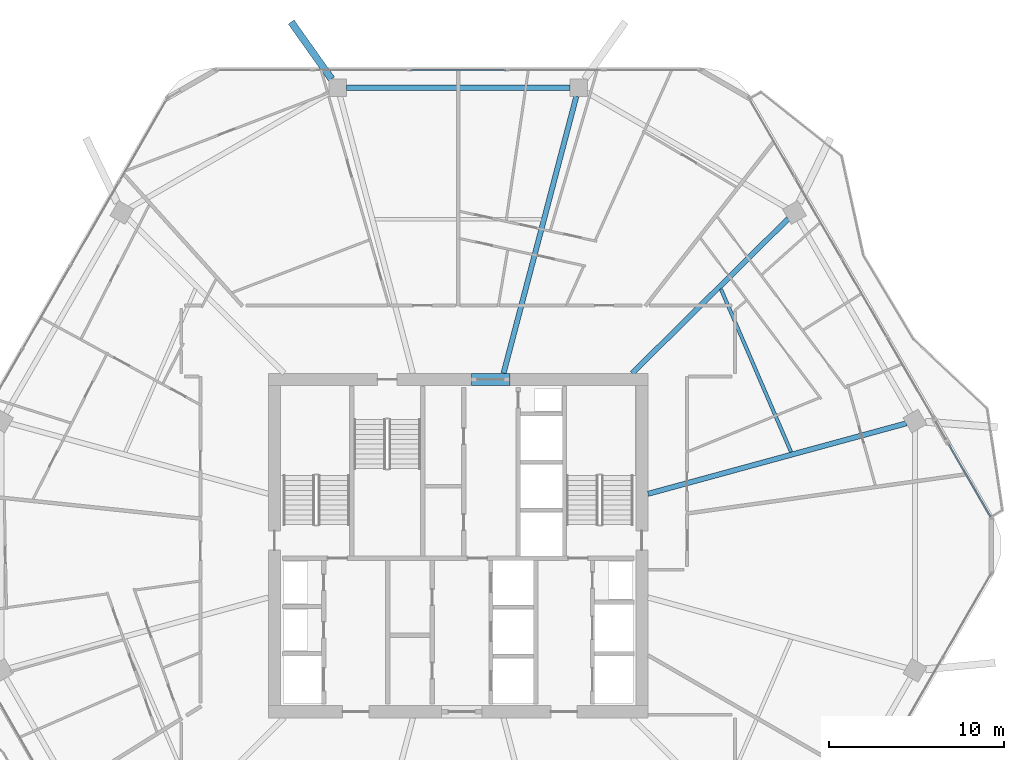
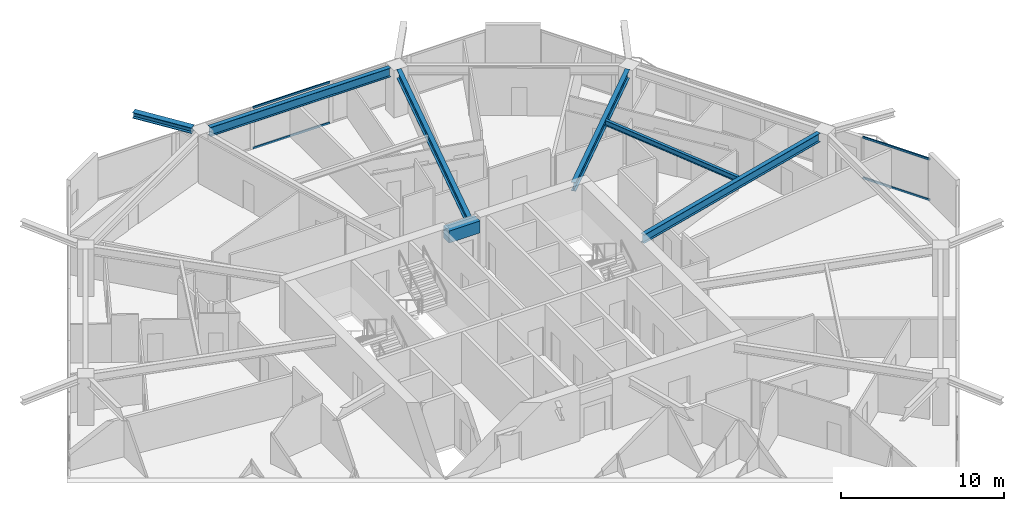
# One storey, part 14 of 26: 7 beams, 4 members, 2 elements without a shape of their own.
"""IFC4 building model written with IfcOpenShell, lengths in metres."""

from ifc_helpers import new_model, si_unit, direction, frame, origin, origin_2d, place, context, subcontext, project, spatial, rectangle, hollow_rectangle, i_section, extrude, material, material_profile, profile_set, type_object, element, aggregate, save


model = new_model("IFC4")

# Units and contexts
model_context = context("Model", 3, precision=1e-05, world=origin(), true_north=direction((0.0, 1.0)))
body_context = subcontext(model_context, "Body", "Model", "MODEL_VIEW")
ifc_project = project(units=[si_unit("LENGTHUNIT", "METRE"), si_unit("AREAUNIT", "SQUARE_METRE"), si_unit("VOLUMEUNIT", "CUBIC_METRE"), si_unit("PLANEANGLEUNIT", "RADIAN"), si_unit("MASSUNIT", "GRAM", prefix="KILO")], contexts=[model_context])

# Site, building, storey
site_placement = place(None, origin())
site = spatial("IfcSite", under=ifc_project, at=site_placement, CompositionType="ELEMENT")
building_placement = place(site_placement, origin())
building = spatial("IfcBuilding", under=site, at=building_placement, Name="Zuhravey Tower", CompositionType="ELEMENT")
storey_placement = place(building_placement, frame((0.0, 0.0, 158.0)))
storey = spatial("IfcBuildingStorey", under=building, at=storey_placement, Name="L39", CompositionType="ELEMENT", Elevation=158.0)

# Beam
ifc_material_1 = material(Name="Concrete C60/75", Category="concrete")
ifc_material_profile_1 = material_profile(ifc_material_1, rectangle(XDim=0.699951171875, YDim=0.89990234375, at=origin_2d()), Name="RC-700x900")
ifc_profile_set_1 = profile_set([ifc_material_profile_1], Name="Concrete C60/75")
beam_type_1 = type_object("IfcBeamType", Name="Core Coupling Beam RC700x900", PredefinedType="LINTEL", material=ifc_profile_set_1)
beam_1_placement = place(storey_placement, frame((36.751953125, 41.5, 3.10009765625), z_axis=(1.0, 0.0, 0.0), x_axis=(0.0, 1.0, 0.0)))
element("IfcBeam", 1, at=beam_1_placement, inside=storey, type_object=beam_type_1, Name="L39 CB1 BM-L39-CB-N", PredefinedType="LINTEL", context=body_context, shape_type="SweptSolid", body=[
    extrude(rectangle(XDim=0.699951171875, YDim=0.89990234375, at=origin_2d()), origin(), (0.0, 0.0, 1.0), 2.196044921875),
])

# Curtain wall, members
ifc_material_2 = material(Name="Thermally broken anodised aluminium", Category="aluminium")
curtain_wall_type = type_object("IfcCurtainWallType", Name="Zone 1-2 Residential Curtain Wall CW3", PredefinedType="NOTDEFINED", material=ifc_material_2)
curtain_wall_1_placement = place(storey_placement, origin())
curtain_wall_1 = element("IfcCurtainWall", 2, at=curtain_wall_1_placement, inside=storey, type_object=curtain_wall_type, Name="L39 CW3 CW-L39-F2-1", PredefinedType="NOTDEFINED")
ifc_material_3 = material(Name="Anodised aluminium", Category="aluminium")
ifc_material_profile_2 = material_profile(ifc_material_3, hollow_rectangle(XDim=0.090087890625, YDim=0.14990234375, WallThickness=0.0048828125, at=origin_2d()), Name="ALU-RHS-90x150x5")
ifc_profile_set_2 = profile_set([ifc_material_profile_2], Name="Anodised aluminium")
member_type = type_object("IfcMemberType", Name="Curtain-Wall Transom 90x150", PredefinedType="USERDEFINED", material=ifc_profile_set_2)
member_1_placement = place(storey_placement, frame((33.272705078125, 59.18310546875, 0.044921875), z_axis=(1.0, 0.0, 0.0), x_axis=(0.0, 1.0, 0.0)))
member_1 = element("IfcMember", 3, at=member_1_placement, type_object=member_type, Name="CW3 transom 3.1", ObjectType="TRANSOM", PredefinedType="USERDEFINED", context=body_context, shape_type="SweptSolid", body=[
    extrude(hollow_rectangle(XDim=0.090087890625, YDim=0.14990234375, WallThickness=0.0048828125, at=origin_2d()), origin(), (0.0, 0.0, 1.0), 5.45458984375),
])
member_2_placement = place(storey_placement, frame((33.272705078125, 59.18310546875, 3.076904296875), z_axis=(1.0, 0.0, 0.0), x_axis=(0.0, 1.0, 0.0)))
member_2 = element("IfcMember", 4, at=member_2_placement, type_object=member_type, Name="CW3 transom 3.2", ObjectType="TRANSOM", PredefinedType="USERDEFINED", context=body_context, shape_type="SweptSolid", body=[
    extrude(hollow_rectangle(XDim=0.090087890625, YDim=0.14990234375, WallThickness=0.0048828125, at=origin_2d()), origin(), (0.0, 0.0, 1.0), 5.45458984375),
])
aggregate(curtain_wall_1, [member_1, member_2])

curtain_wall_2_placement = place(storey_placement, origin())
curtain_wall_2 = element("IfcCurtainWall", 5, at=curtain_wall_2_placement, inside=storey, type_object=curtain_wall_type, Name="L39 CW3 CW-L39-F1-2", PredefinedType="NOTDEFINED")
member_3_placement = place(storey_placement, frame((64.05859375, 37.767333984375, 0.044921875), z_axis=(0.499997608025, -0.866026784787, 0.0), x_axis=(0.866026784787, 0.499997608025, 0.0)))
member_3 = element("IfcMember", 6, at=member_3_placement, type_object=member_type, Name="CW3 transom 1.1", ObjectType="TRANSOM", PredefinedType="USERDEFINED", context=body_context, shape_type="SweptSolid", body=[
    extrude(hollow_rectangle(XDim=0.090087890625, YDim=0.14990234375, WallThickness=0.0048828125, at=origin_2d()), origin(), (0.0, 0.0, 1.0), 4.736328125),
])
member_4_placement = place(storey_placement, frame((64.05859375, 37.767333984375, 3.076904296875), z_axis=(0.499997608025, -0.866026784787, 0.0), x_axis=(0.866026784787, 0.499997608025, 0.0)))
member_4 = element("IfcMember", 7, at=member_4_placement, type_object=member_type, Name="CW3 transom 1.2", ObjectType="TRANSOM", PredefinedType="USERDEFINED", context=body_context, shape_type="SweptSolid", body=[
    extrude(hollow_rectangle(XDim=0.090087890625, YDim=0.14990234375, WallThickness=0.0048828125, at=origin_2d()), origin(), (0.0, 0.0, 1.0), 4.736328125),
])
aggregate(curtain_wall_2, [member_3, member_4])

# Beams
ifc_material_4 = material(Name="Steel SM460", Category="steel")
ifc_material_profile_3 = material_profile(ifc_material_4, i_section(OverallWidth=0.406982421875, OverallDepth=0.427978515625, WebThickness=0.02001953125, FlangeThickness=0.034912109375, at=origin_2d()), Name="H-428x407x20x35")
ifc_profile_set_3 = profile_set([ifc_material_profile_3], Name="Steel SM460")
beam_type_2 = type_object("IfcBeamType", Name="Exoskeleton Node Tie Beam H428x407", PredefinedType="BEAM", material=ifc_profile_set_3)
beam_2_placement = place(storey_placement, frame((28.76123046875, 58.67626953125, 3.3359375), z_axis=(-0.578392499994, 0.815758613777, 0.0), x_axis=(-0.815758613777, -0.578392499994, 0.0)))
element("IfcBeam", 8, at=beam_2_placement, inside=storey, type_object=beam_type_2, Name="L39 Exoskeleton Node Tie NT1-04", PredefinedType="BEAM", context=body_context, shape_type="SweptSolid", body=[
    extrude(i_section(OverallWidth=0.406982421875, OverallDepth=0.427978515625, WebThickness=0.02001953125, FlangeThickness=0.034912109375, at=origin_2d()), origin(), (0.0, 0.0, 1.0), 3.98974609375),
])
ifc_material_5 = material(Name="Steel SM355", Category="steel")
ifc_material_profile_4 = material_profile(ifc_material_5, i_section(OverallWidth=0.300048828125, OverallDepth=0.679931640625, WebThickness=0.012939453125, FlangeThickness=0.02197265625, at=origin_2d()), Name="H-680x300x13x22")
ifc_profile_set_4 = profile_set([ifc_material_profile_4], Name="Steel SM355")
beam_type_3 = type_object("IfcBeamType", Name="Perimeter Ring Beam H680x300", PredefinedType="BEAM", material=ifc_profile_set_4)
beam_3_placement = place(storey_placement, frame((42.37890625, 58.173095703125, 3.2099609375), z_axis=(-1.0, 0.0, 0.0), x_axis=(0.0, -1.0, 0.0)))
element("IfcBeam", 9, at=beam_3_placement, inside=storey, type_object=beam_type_3, Name="L39 PB2 BM-L39-PB-03", PredefinedType="BEAM", context=body_context, shape_type="SweptSolid", body=[
    extrude(i_section(OverallWidth=0.300048828125, OverallDepth=0.679931640625, WebThickness=0.012939453125, FlangeThickness=0.02197265625, at=origin_2d()), origin(), (0.0, 0.0, 1.0), 12.7578125),
])
ifc_material_profile_5 = material_profile(ifc_material_5, i_section(OverallWidth=0.300048828125, OverallDepth=0.64990234375, WebThickness=0.012939453125, FlangeThickness=0.02197265625, at=origin_2d()), Name="H-650x300x13x22")
ifc_profile_set_5 = profile_set([ifc_material_profile_5], Name="Steel SM355")
beam_type_4 = type_object("IfcBeamType", Name="Radial Primary Girder H650x300", PredefinedType="BEAM", material=ifc_profile_set_5)
beam_4_placement = place(storey_placement, frame((46.85302734375, 34.96240234375, 3.22509765625), z_axis=(0.964701601771, 0.263345437667, 0.0), x_axis=(-0.263345437667, 0.964701601771, 0.0)))
element("IfcBeam", 10, at=beam_4_placement, inside=storey, type_object=beam_type_4, Name="L39 RG2 BM-L39-RAD-01", PredefinedType="BEAM", context=body_context, shape_type="SweptSolid", body=[
    extrude(i_section(OverallWidth=0.300048828125, OverallDepth=0.64990234375, WebThickness=0.012939453125, FlangeThickness=0.02197265625, at=origin_2d()), origin(), (0.0, 0.0, 1.0), 15.309814453125),
])
beam_5_placement = place(storey_placement, frame((45.945556640625, 41.85302734375, 3.22509765625), z_axis=(0.71040353357, 0.703794586148, 0.0), x_axis=(-0.703794586148, 0.71040353357, 0.0)))
element("IfcBeam", 11, at=beam_5_placement, inside=storey, type_object=beam_type_4, Name="L39 RG2 BM-L39-RAD-02", PredefinedType="BEAM", context=body_context, shape_type="SweptSolid", body=[
    extrude(i_section(OverallWidth=0.300048828125, OverallDepth=0.64990234375, WebThickness=0.012939453125, FlangeThickness=0.02197265625, at=origin_2d()), origin(), (0.0, 0.0, 1.0), 12.559814453125),
])
beam_6_placement = place(storey_placement, frame((38.5908203125, 41.85302734375, 3.22509765625), z_axis=(0.254300244998, 0.967125320418, 0.0), x_axis=(-0.967125320418, 0.254300244998, 0.0)))
element("IfcBeam", 12, at=beam_6_placement, inside=storey, type_object=beam_type_4, Name="L39 RG2 BM-L39-RAD-03", PredefinedType="BEAM", context=body_context, shape_type="SweptSolid", body=[
    extrude(i_section(OverallWidth=0.300048828125, OverallDepth=0.64990234375, WebThickness=0.012939453125, FlangeThickness=0.02197265625, at=origin_2d()), origin(), (0.0, 0.0, 1.0), 16.371826171875),
])
ifc_material_profile_6 = material_profile(ifc_material_5, i_section(OverallWidth=0.199951171875, OverallDepth=0.39990234375, WebThickness=0.008056640625, FlangeThickness=0.012939453125, at=origin_2d()), Name="H-400x200x8x13")
ifc_profile_set_6 = profile_set([ifc_material_profile_6], Name="Steel SM355")
beam_type_5 = type_object("IfcBeamType", Name="Secondary Floor Joist H400x200", PredefinedType="JOIST", material=ifc_profile_set_6)
beam_7_placement = place(storey_placement, frame((55.029541015625, 37.3525390625, 3.35009765625), z_axis=(-0.395265853487, 0.918566766799, 0.0), x_axis=(-0.918566766799, -0.395265853487, 0.0)))
element("IfcBeam", 13, at=beam_7_placement, inside=storey, type_object=beam_type_5, Name="L39 SJ2 BM-L39-SJ-01-1", PredefinedType="JOIST", context=body_context, shape_type="SweptSolid", body=[
    extrude(i_section(OverallWidth=0.199951171875, OverallDepth=0.39990234375, WebThickness=0.008056640625, FlangeThickness=0.012939453125, at=origin_2d()), origin(), (0.0, 0.0, 1.0), 10.150146484375),
])

save(model, "model.ifc")
